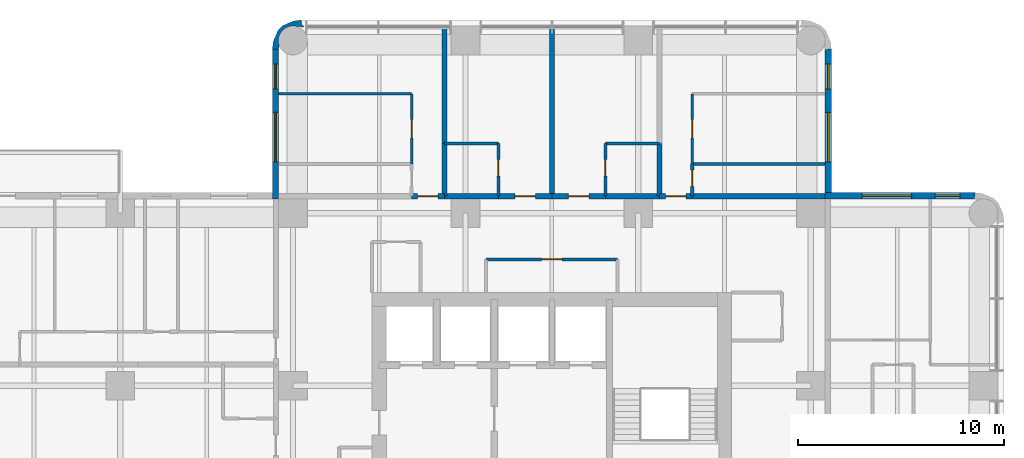
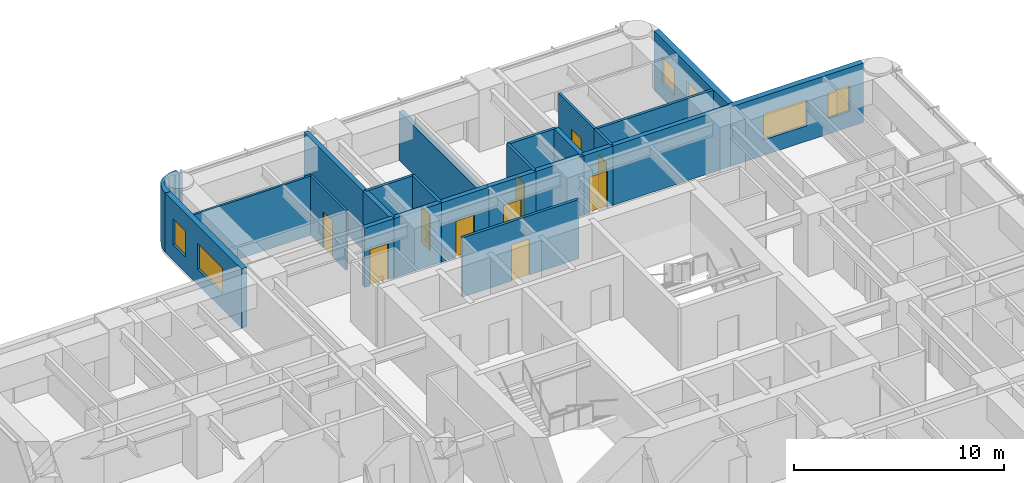
# One storey, part 9 of 11: 25 walls, 10 doors, 6 windows, 16 openings.
"""IFC4 building model written with IfcOpenShell, lengths in metres."""

from ifc_helpers import new_model, si_unit, direction, frame, frame_2d, origin, place, context, subcontext, project, spatial, polyline, rectangle, outline, extrude, material, layer, layer_set, type_object, element, fill, save


model = new_model("IFC4")

# Units and contexts
model_context = context("Model", 3, precision=1e-05, world=origin(), true_north=direction((0.0, 1.0)))
body_context = subcontext(model_context, "Body", "Model", "MODEL_VIEW")
ifc_project = project(units=[si_unit("LENGTHUNIT", "METRE"), si_unit("AREAUNIT", "SQUARE_METRE"), si_unit("VOLUMEUNIT", "CUBIC_METRE"), si_unit("PLANEANGLEUNIT", "RADIAN"), si_unit("MASSUNIT", "GRAM", prefix="KILO")], contexts=[model_context])

# Site, building, storey
site_placement = place(None, origin())
site = spatial("IfcSite", under=ifc_project, at=site_placement, CompositionType="ELEMENT")
building_placement = place(site_placement, origin())
building = spatial("IfcBuilding", under=site, at=building_placement, Name="Torre Alcanfor", CompositionType="ELEMENT")
storey_placement = place(building_placement, frame((0.0, 0.0, 222.89990234375)))
storey = spatial("IfcBuildingStorey", under=building, at=storey_placement, Name="L58", CompositionType="ELEMENT", Elevation=222.89990234375)

# Wall, opening, door
ifc_material_1 = material(Name="Concrete block masonry, hollow blocks NMX-C-404 9 MPa", Category="masonry")
ifc_layer_1 = layer(ifc_material_1, 0.25)
ifc_layer_set_1 = layer_set([ifc_layer_1], Name="Apartment entrance wall 250 EI 60")
wall_type_1 = type_object("IfcWallType", Name="Apartment entrance wall 250 EI 60", PredefinedType="PARTITIONING", material=ifc_layer_set_1)
wall_1_placement = place(storey_placement, frame((26.800048828125, 42.824951171875, 0.0), z_axis=(0.0, 0.0, 1.0), x_axis=(1.0, 0.0, 0.0)))
wall_1 = element("IfcWall", 1, at=wall_1_placement, inside=storey, type_object=wall_type_1, Name="Partition L58-CORR / L58-N1A-STUDIO", PredefinedType="PARTITIONING", context=body_context, shape_type="SweptSolid", body=[
    extrude(rectangle(XDim=2.599853515625, YDim=0.25, at=frame_2d((1.2998046875, 0.0))), origin(), (0.0, 0.0, 1.0), 3.4501953125),
])
opening_1_placement = place(wall_1_placement, frame((0.800048828125, 0.0, 0.0)))
opening_1 = element("IfcOpeningElement", 2, at=opening_1_placement, cuts=wall_1, Name="Opening D-A1", PredefinedType="OPENING", context=body_context, shape_type="SweptSolid", body=[
    extrude(rectangle(XDim=1.0, YDim=2.10009765625, at=frame_2d((0.5, 1.050048828125))), frame((0.0, 0.135009765625, 0.0), z_axis=(0.0, -1.0, 0.0), x_axis=(1.0, 0.0, 0.0)), (0.0, 0.0, 1.0), 0.27001953125),
])
ifc_material_2 = material(Name="Galvanised steel sheet ASTM A653", Category="steel")
door_type_1 = type_object("IfcDoorType", Name="Apartment entrance door FD60 1000x2100", OperationType="SINGLE_SWING_LEFT", PredefinedType="DOOR", material=ifc_material_2)
door_1_placement = place(opening_1_placement, origin())
door_1 = element("IfcDoor", 3, at=door_1_placement, inside=storey, type_object=door_type_1, Name="Apartment entrance L58-N1A", OperationType="SINGLE_SWING_LEFT", OverallHeight=2.10009765625, OverallWidth=1.0, PredefinedType="DOOR", context=body_context, shape_type="SweptSolid", body=[
    extrude(rectangle(XDim=1.0, YDim=2.10009765625, at=frame_2d((0.5, 1.050048828125))), frame((0.0, 0.02490234375, 0.0), z_axis=(0.0, -1.0, 0.0), x_axis=(1.0, 0.0, 0.0)), (0.0, 0.0, 1.0), 0.050048828125),
])
fill(opening_1, door_1)

# Wall
wall_2_placement = place(storey_placement, frame((24.1708984375, 42.824951171875, 0.0), z_axis=(0.0, 0.0, 1.0), x_axis=(1.0, 0.0, 0.0)))
element("IfcWall", 4, at=wall_2_placement, inside=storey, type_object=wall_type_1, Name="Partition L58-CORR / L58-N1A-BATH", PredefinedType="PARTITIONING", context=body_context, shape_type="SweptSolid", body=[
    extrude(rectangle(XDim=2.629150390625, YDim=0.25, at=frame_2d((1.314453125, 0.0))), origin(), (0.0, 0.0, 1.0), 3.4501953125),
])

# Wall, opening, door
wall_3_placement = place(storey_placement, frame((22.571044921875, 42.824951171875, 0.0), z_axis=(0.0, 0.0, 1.0), x_axis=(1.0, 0.0, 0.0)))
wall_3 = element("IfcWall", 5, at=wall_3_placement, inside=storey, type_object=wall_type_1, Name="Partition L58-CORR / L58-N1B-LIVING", PredefinedType="PARTITIONING", context=body_context, shape_type="SweptSolid", body=[
    extrude(rectangle(XDim=1.599853515625, YDim=0.25, at=frame_2d((0.7998046875, 0.0))), origin(), (0.0, 0.0, 1.0), 3.4501953125),
])
opening_2_placement = place(wall_3_placement, frame((0.300048828125, 0.0, 0.0)))
opening_2 = element("IfcOpeningElement", 6, at=opening_2_placement, cuts=wall_3, Name="Opening D-A1", PredefinedType="OPENING", context=body_context, shape_type="SweptSolid", body=[
    extrude(rectangle(XDim=1.0, YDim=2.10009765625, at=frame_2d((0.5, 1.050048828125))), frame((0.0, 0.135009765625, 0.0), z_axis=(0.0, -1.0, 0.0), x_axis=(1.0, 0.0, 0.0)), (0.0, 0.0, 1.0), 0.27001953125),
])
door_2_placement = place(opening_2_placement, origin())
door_2 = element("IfcDoor", 7, at=door_2_placement, inside=storey, type_object=door_type_1, Name="Apartment entrance L58-N1B", OperationType="SINGLE_SWING_LEFT", OverallHeight=2.10009765625, OverallWidth=1.0, PredefinedType="DOOR", context=body_context, shape_type="SweptSolid", body=[
    extrude(rectangle(XDim=1.0, YDim=2.10009765625, at=frame_2d((0.5, 1.050048828125))), frame((0.0, 0.02490234375, 0.0), z_axis=(0.0, -1.0, 0.0), x_axis=(1.0, 0.0, 0.0)), (0.0, 0.0, 1.0), 0.050048828125),
])
fill(opening_2, door_2)

wall_4_placement = place(storey_placement, frame((29.39990234375, 42.824951171875, 0.0), z_axis=(0.0, 0.0, 1.0), x_axis=(1.0, 0.0, 0.0)))
wall_4 = element("IfcWall", 8, at=wall_4_placement, inside=storey, type_object=wall_type_1, Name="Partition L58-CORR / L58-N2A-STUDIO", PredefinedType="PARTITIONING", context=body_context, shape_type="SweptSolid", body=[
    extrude(rectangle(XDim=2.60009765625, YDim=0.25, at=frame_2d((1.300048828125, 0.0))), origin(), (0.0, 0.0, 1.0), 3.4501953125),
])
opening_3_placement = place(wall_4_placement, frame((0.800048828125, 0.0, 0.0)))
opening_3 = element("IfcOpeningElement", 9, at=opening_3_placement, cuts=wall_4, Name="Opening D-A1", PredefinedType="OPENING", context=body_context, shape_type="SweptSolid", body=[
    extrude(rectangle(XDim=1.0, YDim=2.10009765625, at=frame_2d((0.5, 1.050048828125))), frame((0.0, 0.135009765625, 0.0), z_axis=(0.0, -1.0, 0.0), x_axis=(1.0, 0.0, 0.0)), (0.0, 0.0, 1.0), 0.27001953125),
])
door_3_placement = place(opening_3_placement, origin())
door_3 = element("IfcDoor", 10, at=door_3_placement, inside=storey, type_object=door_type_1, Name="Apartment entrance L58-N2A", OperationType="SINGLE_SWING_LEFT", OverallHeight=2.10009765625, OverallWidth=1.0, PredefinedType="DOOR", context=body_context, shape_type="SweptSolid", body=[
    extrude(rectangle(XDim=1.0, YDim=2.10009765625, at=frame_2d((0.5, 1.050048828125))), frame((0.0, 0.02490234375, 0.0), z_axis=(0.0, -1.0, 0.0), x_axis=(1.0, 0.0, 0.0)), (0.0, 0.0, 1.0), 0.050048828125),
])
fill(opening_3, door_3)

# Wall
wall_5_placement = place(storey_placement, frame((32.0, 42.824951171875, 0.0), z_axis=(0.0, 0.0, 1.0), x_axis=(1.0, 0.0, 0.0)))
element("IfcWall", 11, at=wall_5_placement, inside=storey, type_object=wall_type_1, Name="Partition L58-CORR / L58-N2A-BATH", PredefinedType="PARTITIONING", context=body_context, shape_type="SweptSolid", body=[
    extrude(rectangle(XDim=2.62890625, YDim=0.25, at=frame_2d((1.314453125, 0.0))), origin(), (0.0, 0.0, 1.0), 3.4501953125),
])

# Wall, opening, door
wall_6_placement = place(storey_placement, frame((34.62890625, 42.824951171875, 0.0), z_axis=(0.0, 0.0, 1.0), x_axis=(1.0, 0.0, 0.0)))
wall_6 = element("IfcWall", 12, at=wall_6_placement, inside=storey, type_object=wall_type_1, Name="Partition L58-CORR / L58-N2B-LIVING", PredefinedType="PARTITIONING", context=body_context, shape_type="SweptSolid", body=[
    extrude(rectangle(XDim=1.60009765625, YDim=0.25, at=frame_2d((0.800048828125, 0.0))), origin(), (0.0, 0.0, 1.0), 3.4501953125),
])
opening_4_placement = place(wall_6_placement, frame((0.300048828125, 0.0, 0.0)))
opening_4 = element("IfcOpeningElement", 13, at=opening_4_placement, cuts=wall_6, Name="Opening D-A1", PredefinedType="OPENING", context=body_context, shape_type="SweptSolid", body=[
    extrude(rectangle(XDim=1.0, YDim=2.10009765625, at=frame_2d((0.5, 1.050048828125))), frame((0.0, 0.135009765625, 0.0), z_axis=(0.0, -1.0, 0.0), x_axis=(1.0, 0.0, 0.0)), (0.0, 0.0, 1.0), 0.27001953125),
])
door_4_placement = place(opening_4_placement, origin())
door_4 = element("IfcDoor", 14, at=door_4_placement, inside=storey, type_object=door_type_1, Name="Apartment entrance L58-N2B", OperationType="SINGLE_SWING_LEFT", OverallHeight=2.10009765625, OverallWidth=1.0, PredefinedType="DOOR", context=body_context, shape_type="SweptSolid", body=[
    extrude(rectangle(XDim=1.0, YDim=2.10009765625, at=frame_2d((0.5, 1.050048828125))), frame((0.0, 0.02490234375, 0.0), z_axis=(0.0, -1.0, 0.0), x_axis=(1.0, 0.0, 0.0)), (0.0, 0.0, 1.0), 0.050048828125),
])
fill(opening_4, door_4)

# Wall
wall_7_placement = place(storey_placement, frame((36.22900390625, 42.824951171875, 0.0), z_axis=(0.0, 0.0, 1.0), x_axis=(1.0, 0.0, 0.0)))
element("IfcWall", 15, at=wall_7_placement, inside=storey, type_object=wall_type_1, Name="Partition L58-CORR / L58-N2B-BATH", PredefinedType="PARTITIONING", context=body_context, shape_type="SweptSolid", body=[
    extrude(rectangle(XDim=6.470947265625, YDim=0.25, at=frame_2d((3.2353515625, 0.0))), origin(), (0.0, 0.0, 1.0), 3.4501953125),
])

# Wall, opening, door
ifc_material_3 = material(Name="Gypsum board on steel studs", Category="steel")
ifc_layer_2 = layer(ifc_material_3, 0.1201171875)
ifc_layer_set_2 = layer_set([ifc_layer_2], Name="Apartment partition 120")
wall_type_2 = type_object("IfcWallType", Name="Apartment partition 120", PredefinedType="PARTITIONING", material=ifc_layer_set_2)
wall_8_placement = place(storey_placement, frame((22.571044921875, 44.39990234375, 0.0), z_axis=(0.0, 0.0, 1.0), x_axis=(0.0, 1.0, 0.0)))
wall_8 = element("IfcWall", 16, at=wall_8_placement, inside=storey, type_object=wall_type_2, Name="Partition L58-N1B-LIVING / L58-N1B-MASTER", PredefinedType="PARTITIONING", context=body_context, shape_type="SweptSolid", body=[
    extrude(rectangle(XDim=3.400146484375, YDim=0.1201171875, at=frame_2d((1.7001953125, 0.0))), origin(), (0.0, 0.0, 1.0), 3.4501953125),
])
opening_5_placement = place(wall_8_placement, frame((1.25, 0.0, 0.0)))
opening_5 = element("IfcOpeningElement", 17, at=opening_5_placement, cuts=wall_8, Name="Opening D-R1", PredefinedType="OPENING", context=body_context, shape_type="SweptSolid", body=[
    extrude(rectangle(XDim=0.89990234375, YDim=2.10009765625, at=frame_2d((0.449951171875, 1.050048828125))), frame((0.0, 0.070068359375, 0.0), z_axis=(0.0, -1.0, 0.0), x_axis=(1.0, 0.0, 0.0)), (0.0, 0.0, 1.0), 0.14013671875),
])
ifc_material_4 = material(Name="Timber", Category="wood")
door_type_2 = type_object("IfcDoorType", Name="Internal door 900x2100", OperationType="SINGLE_SWING_LEFT", PredefinedType="DOOR", material=ifc_material_4)
door_5_placement = place(opening_5_placement, origin())
door_5 = element("IfcDoor", 18, at=door_5_placement, inside=storey, type_object=door_type_2, Name="Door L58-N1B master", OperationType="SINGLE_SWING_LEFT", OverallHeight=2.10009765625, OverallWidth=0.89990234375, PredefinedType="DOOR", context=body_context, shape_type="SweptSolid", body=[
    extrude(rectangle(XDim=0.89990234375, YDim=2.10009765625, at=frame_2d((0.449951171875, 1.050048828125))), frame((0.0, 0.02490234375, 0.0), z_axis=(0.0, -1.0, 0.0), x_axis=(1.0, 0.0, 0.0)), (0.0, 0.0, 1.0), 0.050048828125),
])
fill(opening_5, door_5)

# Wall
wall_9_placement = place(storey_placement, frame((22.571044921875, 47.800048828125, 0.0), z_axis=(0.0, 0.0, 1.0), x_axis=(-1.0, 0.0, 0.0)))
element("IfcWall", 19, at=wall_9_placement, inside=storey, type_object=wall_type_2, Name="Partition L58-N1B-LIVING / L58-N1B-MASTER", PredefinedType="PARTITIONING", context=body_context, shape_type="SweptSolid", body=[
    extrude(rectangle(XDim=6.470947265625, YDim=0.1201171875, at=frame_2d((3.2353515625, 0.0))), origin(), (0.0, 0.0, 1.0), 3.4501953125),
])

# Wall, opening, door
wall_10_placement = place(storey_placement, frame((36.22900390625, 47.800048828125, 0.0), z_axis=(0.0, 0.0, 1.0), x_axis=(0.0, -1.0, 0.0)))
wall_10 = element("IfcWall", 20, at=wall_10_placement, inside=storey, type_object=wall_type_2, Name="Partition L58-N2B-LIVING / L58-N2B-MASTER", PredefinedType="PARTITIONING", context=body_context, shape_type="SweptSolid", body=[
    extrude(rectangle(XDim=3.400146484375, YDim=0.1201171875, at=frame_2d((1.7001953125, 0.0))), origin(), (0.0, 0.0, 1.0), 3.4501953125),
])
opening_6_placement = place(wall_10_placement, frame((1.25, 0.0, 0.0)))
opening_6 = element("IfcOpeningElement", 21, at=opening_6_placement, cuts=wall_10, Name="Opening D-R1", PredefinedType="OPENING", context=body_context, shape_type="SweptSolid", body=[
    extrude(rectangle(XDim=0.89990234375, YDim=2.10009765625, at=frame_2d((0.449951171875, 1.050048828125))), frame((0.0, 0.070068359375, 0.0), z_axis=(0.0, -1.0, 0.0), x_axis=(1.0, 0.0, 0.0)), (0.0, 0.0, 1.0), 0.14013671875),
])
door_6_placement = place(opening_6_placement, origin())
door_6 = element("IfcDoor", 22, at=door_6_placement, inside=storey, type_object=door_type_2, Name="Door L58-N2B master", OperationType="SINGLE_SWING_LEFT", OverallHeight=2.10009765625, OverallWidth=0.89990234375, PredefinedType="DOOR", context=body_context, shape_type="SweptSolid", body=[
    extrude(rectangle(XDim=0.89990234375, YDim=2.10009765625, at=frame_2d((0.449951171875, 1.050048828125))), frame((0.0, 0.02490234375, 0.0), z_axis=(0.0, -1.0, 0.0), x_axis=(1.0, 0.0, 0.0)), (0.0, 0.0, 1.0), 0.050048828125),
])
fill(opening_6, door_6)

# Wall, openings, windows
ifc_material_5 = material(Name="Limestone cladding", Category="masonry")
ifc_layer_3 = layer(ifc_material_5, 0.0400390625, Name="Facing")
ifc_material_6 = material(Name="Ventilated air cavity")
ifc_layer_4 = layer(ifc_material_6, 0.02001953125, ventilated=True, Name="Ventilated joint")
ifc_material_7 = material(Name="Mineral wool insulation", Category="insulation")
ifc_layer_5 = layer(ifc_material_7, 0.10009765625, Name="Insulation")
ifc_material_8 = material(Name="Concrete f'c 35 MPa", Category="concrete")
ifc_layer_6 = layer(ifc_material_8, 0.139892578125, Name="Backing")
ifc_layer_set_3 = layer_set([ifc_layer_3, ifc_layer_4, ifc_layer_5, ifc_layer_6], Name="External wall stone-clad 300")
wall_type_3 = type_object("IfcWallType", Name="External wall stone-clad 300", PredefinedType="SOLIDWALL", material=ifc_layer_set_3)
wall_11_placement = place(storey_placement, frame((50.0, 42.85009765625, 0.0), z_axis=(0.0, 0.0, 1.0), x_axis=(-1.0, 0.0, 0.0)))
wall_11 = element("IfcWall", 23, at=wall_11_placement, inside=storey, type_object=wall_type_3, Name="External wall L58 9", PredefinedType="SOLIDWALL", context=body_context, shape_type="SweptSolid", body=[
    extrude(rectangle(XDim=7.300048828125, YDim=0.300048828125, at=frame_2d((3.64990234375, 0.0))), origin(), (0.0, 0.0, 1.0), 3.4501953125),
])
opening_7_placement = place(wall_11_placement, frame((3.10009765625, 0.0, 0.89990234375)))
opening_7 = element("IfcOpeningElement", 24, at=opening_7_placement, cuts=wall_11, Name="Opening W1", PredefinedType="OPENING", context=body_context, shape_type="SweptSolid", body=[
    extrude(rectangle(XDim=2.39990234375, YDim=1.5, at=frame_2d((1.199951171875, 0.75))), frame((0.0, 0.159912109375, 0.0), z_axis=(0.0, -1.0, 0.0), x_axis=(1.0, 0.0, 0.0)), (0.0, 0.0, 1.0), 0.320068359375),
])
opening_8_placement = place(wall_11_placement, frame((0.75, 0.0, 0.89990234375)))
opening_8 = element("IfcOpeningElement", 25, at=opening_8_placement, cuts=wall_11, Name="Opening W4", PredefinedType="OPENING", context=body_context, shape_type="SweptSolid", body=[
    extrude(rectangle(XDim=1.199951171875, YDim=1.5, at=frame_2d((0.60009765625, 0.75))), frame((0.0, 0.159912109375, 0.0), z_axis=(0.0, -1.0, 0.0), x_axis=(1.0, 0.0, 0.0)), (0.0, 0.0, 1.0), 0.320068359375),
])
ifc_material_9 = material(Name="Aluminium frame with clear double glazing", Category="aluminium")
window_type_1 = type_object("IfcWindowType", Name="Window bedroom 1200x1500", PartitioningType="SINGLE_PANEL", PredefinedType="WINDOW", material=ifc_material_9)
window_1_placement = place(opening_8_placement, origin())
window_1 = element("IfcWindow", 26, at=window_1_placement, inside=storey, type_object=window_type_1, Name="Window W4 L58-E1", OverallHeight=1.5, OverallWidth=1.199951171875, PartitioningType="SINGLE_PANEL", PredefinedType="WINDOW", context=body_context, shape_type="SweptSolid", body=[
    extrude(rectangle(XDim=1.199951171875, YDim=1.5, at=frame_2d((0.60009765625, 0.75))), frame((0.0, 0.030029296875, 0.0), z_axis=(0.0, -1.0, 0.0), x_axis=(1.0, 0.0, 0.0)), (0.0, 0.0, 1.0), 0.06005859375),
])
fill(opening_8, window_1)
ifc_material_10 = material(Name="Aluminium frame with clear double glazing", Category="aluminium")
window_type_2 = type_object("IfcWindowType", Name="Window bedroom 2400x1500", PartitioningType="SINGLE_PANEL", PredefinedType="WINDOW", material=ifc_material_10)
window_2_placement = place(opening_7_placement, origin())
window_2 = element("IfcWindow", 27, at=window_2_placement, inside=storey, type_object=window_type_2, Name="Window W1 L58-E1", OverallHeight=1.5, OverallWidth=2.39990234375, PartitioningType="SINGLE_PANEL", PredefinedType="WINDOW", context=body_context, shape_type="SweptSolid", body=[
    extrude(rectangle(XDim=2.39990234375, YDim=1.5, at=frame_2d((1.199951171875, 0.75))), frame((0.0, 0.030029296875, 0.0), z_axis=(0.0, -1.0, 0.0), x_axis=(1.0, 0.0, 0.0)), (0.0, 0.0, 1.0), 0.06005859375),
])
fill(opening_7, window_2)

wall_12_placement = place(storey_placement, frame((42.85009765625, 43.0, 0.0), z_axis=(0.0, 0.0, 1.0), x_axis=(0.0, 1.0, 0.0)))
wall_12 = element("IfcWall", 28, at=wall_12_placement, inside=storey, type_object=wall_type_3, Name="External wall L58 10", PredefinedType="SOLIDWALL", context=body_context, shape_type="SweptSolid", body=[
    extrude(rectangle(XDim=7.0, YDim=0.300048828125, at=frame_2d((3.5, 0.0))), origin(), (0.0, 0.0, 1.0), 3.4501953125),
])
opening_9_placement = place(wall_12_placement, frame((1.5, 0.0, 0.89990234375)))
opening_9 = element("IfcOpeningElement", 29, at=opening_9_placement, cuts=wall_12, Name="Opening W1", PredefinedType="OPENING", context=body_context, shape_type="SweptSolid", body=[
    extrude(rectangle(XDim=2.39990234375, YDim=1.5, at=frame_2d((1.199951171875, 0.75))), frame((0.0, 0.159912109375, 0.0), z_axis=(0.0, -1.0, 0.0), x_axis=(1.0, 0.0, 0.0)), (0.0, 0.0, 1.0), 0.320068359375),
])
opening_10_placement = place(wall_12_placement, frame((5.050048828125, 0.0, 0.89990234375)))
opening_10 = element("IfcOpeningElement", 30, at=opening_10_placement, cuts=wall_12, Name="Opening W4", PredefinedType="OPENING", context=body_context, shape_type="SweptSolid", body=[
    extrude(rectangle(XDim=1.199951171875, YDim=1.5, at=frame_2d((0.60009765625, 0.75))), frame((0.0, 0.159912109375, 0.0), z_axis=(0.0, -1.0, 0.0), x_axis=(1.0, 0.0, 0.0)), (0.0, 0.0, 1.0), 0.320068359375),
])
window_3_placement = place(opening_10_placement, origin())
window_3 = element("IfcWindow", 31, at=window_3_placement, inside=storey, type_object=window_type_1, Name="Window W4 L58-N2", OverallHeight=1.5, OverallWidth=1.199951171875, PartitioningType="SINGLE_PANEL", PredefinedType="WINDOW", context=body_context, shape_type="SweptSolid", body=[
    extrude(rectangle(XDim=1.199951171875, YDim=1.5, at=frame_2d((0.60009765625, 0.75))), frame((0.0, 0.030029296875, 0.0), z_axis=(0.0, -1.0, 0.0), x_axis=(1.0, 0.0, 0.0)), (0.0, 0.0, 1.0), 0.06005859375),
])
fill(opening_10, window_3)
window_4_placement = place(opening_9_placement, origin())
window_4 = element("IfcWindow", 32, at=window_4_placement, inside=storey, type_object=window_type_2, Name="Window W1 L58-N2", OverallHeight=1.5, OverallWidth=2.39990234375, PartitioningType="SINGLE_PANEL", PredefinedType="WINDOW", context=body_context, shape_type="SweptSolid", body=[
    extrude(rectangle(XDim=2.39990234375, YDim=1.5, at=frame_2d((1.199951171875, 0.75))), frame((0.0, 0.030029296875, 0.0), z_axis=(0.0, -1.0, 0.0), x_axis=(1.0, 0.0, 0.0)), (0.0, 0.0, 1.0), 0.06005859375),
])
fill(opening_9, window_4)

wall_13_placement = place(storey_placement, frame((15.949951171875, 50.0, 0.0), z_axis=(0.0, 0.0, 1.0), x_axis=(0.0, -1.0, 0.0)))
wall_13 = element("IfcWall", 33, at=wall_13_placement, inside=storey, type_object=wall_type_3, Name="External wall L58 12", PredefinedType="SOLIDWALL", context=body_context, shape_type="SweptSolid", body=[
    extrude(rectangle(XDim=7.300048828125, YDim=0.300048828125, at=frame_2d((3.64990234375, 0.0))), origin(), (0.0, 0.0, 1.0), 3.4501953125),
])
opening_11_placement = place(wall_13_placement, frame((3.10009765625, 0.0, 0.89990234375)))
opening_11 = element("IfcOpeningElement", 34, at=opening_11_placement, cuts=wall_13, Name="Opening W1", PredefinedType="OPENING", context=body_context, shape_type="SweptSolid", body=[
    extrude(rectangle(XDim=2.39990234375, YDim=1.5, at=frame_2d((1.199951171875, 0.75))), frame((0.0, 0.159912109375, 0.0), z_axis=(0.0, -1.0, 0.0), x_axis=(1.0, 0.0, 0.0)), (0.0, 0.0, 1.0), 0.320068359375),
])
opening_12_placement = place(wall_13_placement, frame((0.75, 0.0, 0.89990234375)))
opening_12 = element("IfcOpeningElement", 35, at=opening_12_placement, cuts=wall_13, Name="Opening W4", PredefinedType="OPENING", context=body_context, shape_type="SweptSolid", body=[
    extrude(rectangle(XDim=1.199951171875, YDim=1.5, at=frame_2d((0.60009765625, 0.75))), frame((0.0, 0.159912109375, 0.0), z_axis=(0.0, -1.0, 0.0), x_axis=(1.0, 0.0, 0.0)), (0.0, 0.0, 1.0), 0.320068359375),
])
window_5_placement = place(opening_12_placement, origin())
window_5 = element("IfcWindow", 36, at=window_5_placement, inside=storey, type_object=window_type_1, Name="Window W4 L58-N1", OverallHeight=1.5, OverallWidth=1.199951171875, PartitioningType="SINGLE_PANEL", PredefinedType="WINDOW", context=body_context, shape_type="SweptSolid", body=[
    extrude(rectangle(XDim=1.199951171875, YDim=1.5, at=frame_2d((0.60009765625, 0.75))), frame((0.0, 0.030029296875, 0.0), z_axis=(0.0, -1.0, 0.0), x_axis=(1.0, 0.0, 0.0)), (0.0, 0.0, 1.0), 0.06005859375),
])
fill(opening_12, window_5)
window_6_placement = place(opening_11_placement, origin())
window_6 = element("IfcWindow", 37, at=window_6_placement, inside=storey, type_object=window_type_2, Name="Window W1 L58-N1", OverallHeight=1.5, OverallWidth=2.39990234375, PartitioningType="SINGLE_PANEL", PredefinedType="WINDOW", context=body_context, shape_type="SweptSolid", body=[
    extrude(rectangle(XDim=2.39990234375, YDim=1.5, at=frame_2d((1.199951171875, 0.75))), frame((0.0, 0.030029296875, 0.0), z_axis=(0.0, -1.0, 0.0), x_axis=(1.0, 0.0, 0.0)), (0.0, 0.0, 1.0), 0.06005859375),
])
fill(opening_11, window_6)

# Walls
ifc_material_11 = material(Name="Concrete block masonry, hollow blocks NMX-C-404 9 MPa", Category="masonry")
ifc_layer_7 = layer(ifc_material_11, 0.25)
ifc_layer_set_4 = layer_set([ifc_layer_7], Name="Party wall 250 EI 60")
wall_type_4 = type_object("IfcWallType", Name="Party wall 250 EI 60", PredefinedType="PARTITIONING", material=ifc_layer_set_4)
wall_14_placement = place(storey_placement, frame((24.1708984375, 45.39990234375, 0.0), z_axis=(0.0, 0.0, 1.0), x_axis=(0.0, 1.0, 0.0)))
element("IfcWall", 38, at=wall_14_placement, inside=storey, type_object=wall_type_4, Name="Partition L58-N1A-STUDIO / L58-N1B-LIVING", PredefinedType="PARTITIONING", context=body_context, shape_type="SweptSolid", body=[
    extrude(rectangle(XDim=5.650146484375, YDim=0.25, at=frame_2d((2.8251953125, 0.0))), origin(), (0.0, 0.0, 1.0), 3.4501953125),
])
wall_15_placement = place(storey_placement, frame((29.39990234375, 51.050048828125, 0.0), z_axis=(0.0, 0.0, 1.0), x_axis=(0.0, -1.0, 0.0)))
element("IfcWall", 39, at=wall_15_placement, inside=storey, type_object=wall_type_4, Name="Partition L58-N1A-STUDIO / L58-N2A-STUDIO", PredefinedType="PARTITIONING", context=body_context, shape_type="SweptSolid", body=[
    extrude(rectangle(XDim=8.22509765625, YDim=0.25, at=frame_2d((4.112548828125, 0.0))), origin(), (0.0, 0.0, 1.0), 2.84814453125),
])
for number, where, z_axis, x_axis, name in (
    (40, (24.1708984375, 45.39990234375, 0.0), (0.0, 0.0, 1.0), (0.0, -1.0, 0.0), "Partition L58-N1A-BATH / L58-N1B-LIVING"),
    (41, (34.62890625, 45.39990234375, 0.0), (0.0, 0.0, 1.0), (0.0, -1.0, 0.0), "Partition L58-N2A-BATH / L58-N2B-LIVING"),
):
    element("IfcWall", number, at=place(storey_placement, frame(where, z_axis=z_axis, x_axis=x_axis)), inside=storey, type_object=wall_type_4, Name=name, PredefinedType="PARTITIONING", context=body_context, shape_type="SweptSolid", body=[
        extrude(rectangle(XDim=2.574951171875, YDim=0.25, at=frame_2d((1.28759765625, 0.0))), origin(), (0.0, 0.0, 1.0), 3.4501953125),
    ])

# Wall, opening, door
ifc_material_12 = material(Name="Concrete block masonry, hollow blocks NMX-C-404 9 MPa", Category="masonry")
ifc_layer_8 = layer(ifc_material_12, 0.14990234375)
ifc_layer_set_5 = layer_set([ifc_layer_8], Name="Residents' room partition 150")
wall_type_5 = type_object("IfcWallType", Name="Residents' room partition 150", PredefinedType="PARTITIONING", material=ifc_layer_set_5)
wall_16_placement = place(storey_placement, frame((32.60009765625, 39.75, 0.0), z_axis=(0.0, 0.0, 1.0), x_axis=(-1.0, 0.0, 0.0)))
wall_16 = element("IfcWall", 42, at=wall_16_placement, inside=storey, type_object=wall_type_5, Name="Partition L58-CORR / L58-G02", PredefinedType="PARTITIONING", context=body_context, shape_type="SweptSolid", body=[
    extrude(rectangle(XDim=6.400146484375, YDim=0.14990234375, at=frame_2d((3.2001953125, 0.0))), origin(), (0.0, 0.0, 1.0), 3.4501953125),
])
opening_13_placement = place(wall_16_placement, frame((2.699951171875, 0.0, 0.0)))
opening_13 = element("IfcOpeningElement", 43, at=opening_13_placement, cuts=wall_16, Name="Opening D-M1", PredefinedType="OPENING", context=body_context, shape_type="SweptSolid", body=[
    extrude(rectangle(XDim=1.0, YDim=2.10009765625, at=frame_2d((0.5, 1.050048828125))), frame((0.0, 0.0849609375, 0.0), z_axis=(0.0, -1.0, 0.0), x_axis=(1.0, 0.0, 0.0)), (0.0, 0.0, 1.0), 0.169921875),
])
ifc_material_13 = material(Name="Timber", Category="wood")
door_type_3 = type_object("IfcDoorType", Name="Residents' room door 1000x2100", OperationType="SINGLE_SWING_LEFT", PredefinedType="DOOR", material=ifc_material_13)
door_7_placement = place(opening_13_placement, origin())
door_7 = element("IfcDoor", 44, at=door_7_placement, inside=storey, type_object=door_type_3, Name="Door L58-G02 quiet room", OperationType="SINGLE_SWING_LEFT", OverallHeight=2.10009765625, OverallWidth=1.0, PredefinedType="DOOR", context=body_context, shape_type="SweptSolid", body=[
    extrude(rectangle(XDim=1.0, YDim=2.10009765625, at=frame_2d((0.5, 1.050048828125))), frame((0.0, 0.02490234375, 0.0), z_axis=(0.0, -1.0, 0.0), x_axis=(1.0, 0.0, 0.0)), (0.0, 0.0, 1.0), 0.050048828125),
])
fill(opening_13, door_7)

# Wall
ifc_layer_9 = layer(ifc_material_5, 0.0400390625, Name="Facing")
ifc_layer_10 = layer(ifc_material_6, 0.02001953125, ventilated=True, Name="Ventilated joint")
ifc_layer_11 = layer(ifc_material_7, 0.10009765625, Name="Insulation")
ifc_layer_12 = layer(ifc_material_8, 0.139892578125, Name="Backing")
ifc_layer_set_6 = layer_set([ifc_layer_9, ifc_layer_10, ifc_layer_11, ifc_layer_12], Name="Rounded corner pier stone-clad 300")
wall_type_6 = type_object("IfcWallType", Name="Rounded corner pier stone-clad 300", PredefinedType="SOLIDWALL", material=ifc_layer_set_6)
wall_17_placement = place(storey_placement, frame((17.312325495, 50.98815184, 0.0), z_axis=(0.0, 0.0, 1.0), x_axis=(-0.439933741929, 0.898030234854, 0.0)))
element("IfcWall", 45, at=wall_17_placement, inside=storey, type_object=wall_type_6, Name="Corner pier L58 20", PredefinedType="SOLIDWALL", context=body_context, shape_type="SweptSolid", body=[
    extrude(outline(polyline([(0.1377143835604198, -0.039385181817258766), (0.1818364553516057, -0.0003747232930663008), (0.4192016580531099, -0.08022740006820503), (0.5358388106960636, 0.26607727478531357), (0.5587531272282371, 0.6308374918089354), (0.5545485345760868, 0.6511120475500328), (0.5663705271242188, 0.8356242584424797), (0.45553712270786306, 1.1593357577081085), (0.33310540567156155, 1.2978817433582523), (0.3240010425966217, 1.316478699637952), (0.08232775629815992, 1.5906485457460864), (-0.22208869605726766, 1.7927915068834772), (-0.3896080971502234, 1.5407383104861123), (-0.3718491984629172, 1.532038448890355), (-0.1945577897528935, 1.41446516530517), (-0.1197255547664915, 1.4096136894189937), (0.13065299215824444, 1.286956381488686), (0.3152401217440383, 1.07772560900137), (0.4057142184300525, 0.8140105545565798), (0.3881041552353981, 0.5355508442955765), (0.26544684730509027, 0.28517229737084054), (0.20907264065944553, 0.23558040158200633), (0.14755628183616776, 0.052848260637269044), (0.10502262325175554, 0.07368496618760154), (0.031879342428165675, -0.0756213301834538), (0.1377143835604198, -0.039385181817258766)])), origin(), (0.0, 0.0, 1.0), 3.4501953125),
])

# Wall, opening, door
ifc_material_14 = material(Name="Cement board on steel studs", Category="steel")
ifc_layer_13 = layer(ifc_material_14, 0.14990234375)
ifc_layer_set_7 = layer_set([ifc_layer_13], Name="Wet area partition 150")
wall_type_7 = type_object("IfcWallType", Name="Wet area partition 150", PredefinedType="PARTITIONING", material=ifc_layer_set_7)
wall_18_placement = place(storey_placement, frame((26.800048828125, 42.824951171875, 0.0), z_axis=(0.0, 0.0, 1.0), x_axis=(0.0, 1.0, 0.0)))
wall_18 = element("IfcWall", 46, at=wall_18_placement, inside=storey, type_object=wall_type_7, Name="Partition L58-N1A-STUDIO / L58-N1A-BATH", PredefinedType="PARTITIONING", context=body_context, shape_type="SweptSolid", body=[
    extrude(rectangle(XDim=2.574951171875, YDim=0.14990234375, at=frame_2d((1.28759765625, 0.0))), origin(), (0.0, 0.0, 1.0), 3.4501953125),
])
opening_14_placement = place(wall_18_placement, frame((0.97509765625, 0.0, 0.0)))
opening_14 = element("IfcOpeningElement", 47, at=opening_14_placement, cuts=wall_18, Name="Opening D-R2", PredefinedType="OPENING", context=body_context, shape_type="SweptSolid", body=[
    extrude(rectangle(XDim=0.800048828125, YDim=2.10009765625, at=frame_2d((0.39990234375, 1.050048828125))), frame((0.0, 0.0849609375, 0.0), z_axis=(0.0, -1.0, 0.0), x_axis=(1.0, 0.0, 0.0)), (0.0, 0.0, 1.0), 0.169921875),
])
ifc_material_15 = material(Name="Timber", Category="wood")
door_type_4 = type_object("IfcDoorType", Name="Bathroom door 800x2100", OperationType="SINGLE_SWING_LEFT", PredefinedType="DOOR", material=ifc_material_15)
door_8_placement = place(opening_14_placement, origin())
door_8 = element("IfcDoor", 48, at=door_8_placement, inside=storey, type_object=door_type_4, Name="Door L58-N1A bath", OperationType="SINGLE_SWING_RIGHT", OverallHeight=2.10009765625, OverallWidth=0.800048828125, PredefinedType="DOOR", context=body_context, shape_type="SweptSolid", body=[
    extrude(rectangle(XDim=0.800048828125, YDim=2.10009765625, at=frame_2d((0.39990234375, 1.050048828125))), frame((0.0, 0.02490234375, 0.0), z_axis=(0.0, -1.0, 0.0), x_axis=(1.0, 0.0, 0.0)), (0.0, 0.0, 1.0), 0.050048828125),
])
fill(opening_14, door_8)

# Walls
wall_19_placement = place(storey_placement, frame((26.800048828125, 45.39990234375, 0.0), z_axis=(0.0, 0.0, 1.0), x_axis=(-1.0, 0.0, 0.0)))
element("IfcWall", 49, at=wall_19_placement, inside=storey, type_object=wall_type_7, Name="Partition L58-N1A-STUDIO / L58-N1A-BATH", PredefinedType="PARTITIONING", context=body_context, shape_type="SweptSolid", body=[
    extrude(rectangle(XDim=2.629150390625, YDim=0.14990234375, at=frame_2d((1.314453125, 0.0))), origin(), (0.0, 0.0, 1.0), 3.4501953125),
])
wall_20_placement = place(storey_placement, frame((34.62890625, 45.39990234375, 0.0), z_axis=(0.0, 0.0, 1.0), x_axis=(-1.0, 0.0, 0.0)))
element("IfcWall", 50, at=wall_20_placement, inside=storey, type_object=wall_type_7, Name="Partition L58-N2A-STUDIO / L58-N2A-BATH", PredefinedType="PARTITIONING", context=body_context, shape_type="SweptSolid", body=[
    extrude(rectangle(XDim=2.62890625, YDim=0.14990234375, at=frame_2d((1.314453125, 0.0))), origin(), (0.0, 0.0, 1.0), 3.4501953125),
])

# Wall, opening, door
wall_21_placement = place(storey_placement, frame((32.0, 45.39990234375, 0.0), z_axis=(0.0, 0.0, 1.0), x_axis=(0.0, -1.0, 0.0)))
wall_21 = element("IfcWall", 51, at=wall_21_placement, inside=storey, type_object=wall_type_7, Name="Partition L58-N2A-STUDIO / L58-N2A-BATH", PredefinedType="PARTITIONING", context=body_context, shape_type="SweptSolid", body=[
    extrude(rectangle(XDim=2.574951171875, YDim=0.14990234375, at=frame_2d((1.28759765625, 0.0))), origin(), (0.0, 0.0, 1.0), 3.4501953125),
])
opening_15_placement = place(wall_21_placement, frame((0.800048828125, 0.0, 0.0)))
opening_15 = element("IfcOpeningElement", 52, at=opening_15_placement, cuts=wall_21, Name="Opening D-R2", PredefinedType="OPENING", context=body_context, shape_type="SweptSolid", body=[
    extrude(rectangle(XDim=0.800048828125, YDim=2.10009765625, at=frame_2d((0.39990234375, 1.050048828125))), frame((0.0, 0.0849609375, 0.0), z_axis=(0.0, -1.0, 0.0), x_axis=(1.0, 0.0, 0.0)), (0.0, 0.0, 1.0), 0.169921875),
])
door_9_placement = place(opening_15_placement, origin())
door_9 = element("IfcDoor", 53, at=door_9_placement, inside=storey, type_object=door_type_4, Name="Door L58-N2A bath", OperationType="SINGLE_SWING_LEFT", OverallHeight=2.10009765625, OverallWidth=0.800048828125, PredefinedType="DOOR", context=body_context, shape_type="SweptSolid", body=[
    extrude(rectangle(XDim=0.800048828125, YDim=2.10009765625, at=frame_2d((0.39990234375, 1.050048828125))), frame((0.0, 0.02490234375, 0.0), z_axis=(0.0, -1.0, 0.0), x_axis=(1.0, 0.0, 0.0)), (0.0, 0.0, 1.0), 0.050048828125),
])
fill(opening_15, door_9)

wall_22_placement = place(storey_placement, frame((36.22900390625, 44.39990234375, 0.0), z_axis=(0.0, 0.0, 1.0), x_axis=(0.0, -1.0, 0.0)))
wall_22 = element("IfcWall", 54, at=wall_22_placement, inside=storey, type_object=wall_type_7, Name="Partition L58-N2B-LIVING / L58-N2B-BATH", PredefinedType="PARTITIONING", context=body_context, shape_type="SweptSolid", body=[
    extrude(rectangle(XDim=1.574951171875, YDim=0.14990234375, at=frame_2d((0.78759765625, 0.0))), origin(), (0.0, 0.0, 1.0), 3.4501953125),
])
opening_16_placement = place(wall_22_placement, frame((0.300048828125, 0.0, 0.0)))
opening_16 = element("IfcOpeningElement", 55, at=opening_16_placement, cuts=wall_22, Name="Opening D-R2", PredefinedType="OPENING", context=body_context, shape_type="SweptSolid", body=[
    extrude(rectangle(XDim=0.800048828125, YDim=2.10009765625, at=frame_2d((0.39990234375, 1.050048828125))), frame((0.0, 0.0849609375, 0.0), z_axis=(0.0, -1.0, 0.0), x_axis=(1.0, 0.0, 0.0)), (0.0, 0.0, 1.0), 0.169921875),
])
door_10_placement = place(opening_16_placement, origin())
door_10 = element("IfcDoor", 56, at=door_10_placement, inside=storey, type_object=door_type_4, Name="Door L58-N2B bath", OperationType="SINGLE_SWING_LEFT", OverallHeight=2.10009765625, OverallWidth=0.800048828125, PredefinedType="DOOR", context=body_context, shape_type="SweptSolid", body=[
    extrude(rectangle(XDim=0.800048828125, YDim=2.10009765625, at=frame_2d((0.39990234375, 1.050048828125))), frame((0.0, 0.02490234375, 0.0), z_axis=(0.0, -1.0, 0.0), x_axis=(1.0, 0.0, 0.0)), (0.0, 0.0, 1.0), 0.050048828125),
])
fill(opening_16, door_10)

# Wall
wall_23_placement = place(storey_placement, frame((36.22900390625, 44.39990234375, 0.0), z_axis=(0.0, 0.0, 1.0), x_axis=(1.0, 0.0, 0.0)))
element("IfcWall", 57, at=wall_23_placement, inside=storey, type_object=wall_type_7, Name="Partition L58-N2B-BATH / L58-N2B-MASTER", PredefinedType="PARTITIONING", context=body_context, shape_type="SweptSolid", body=[
    extrude(rectangle(XDim=6.470947265625, YDim=0.14990234375, at=frame_2d((3.2353515625, 0.0))), origin(), (0.0, 0.0, 1.0), 3.4501953125),
])

save(model, "model.ifc")
